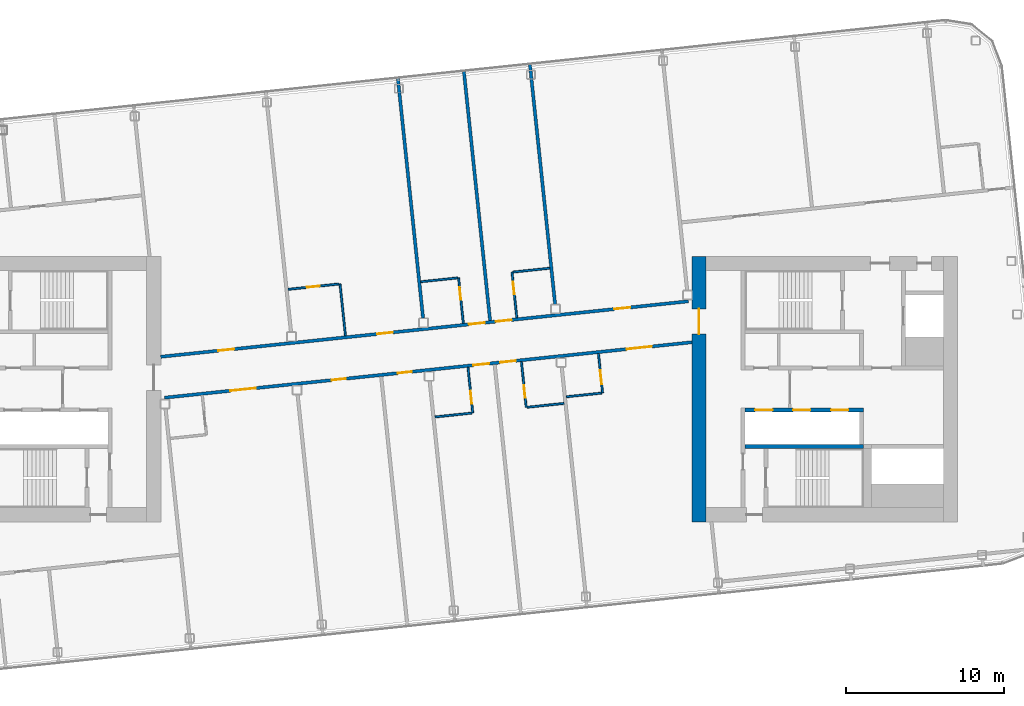
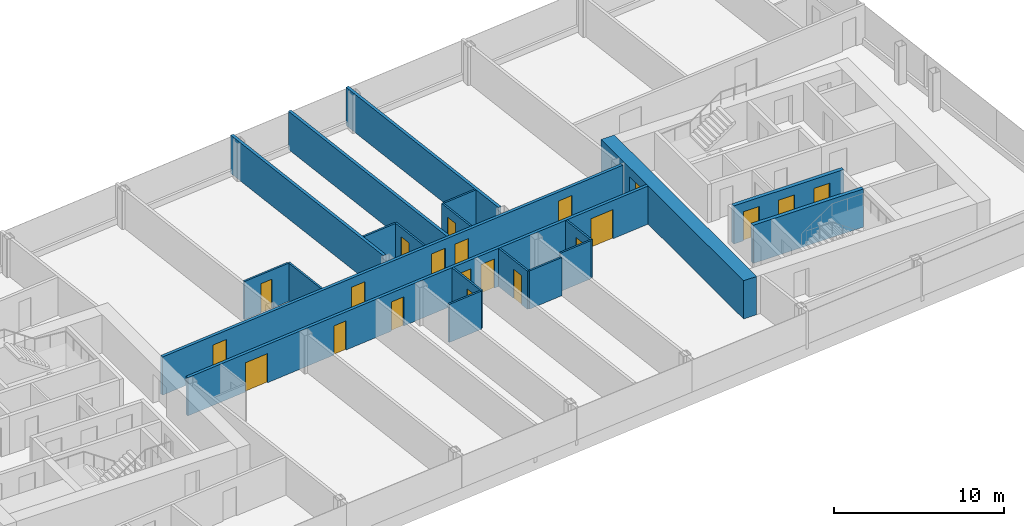
# One storey, part 16 of 27: 21 doors, 20 walls, 21 openings.
"""IFC4 building model written with IfcOpenShell, lengths in metres."""

from ifc_helpers import new_model, si_unit, direction, frame, frame_2d, origin, place, context, subcontext, project, spatial, rectangle, extrude, material, layer, layer_set, type_object, element, fill, save


model = new_model("IFC4")

# Units and contexts
model_context = context("Model", 3, precision=1e-05, world=origin(), true_north=direction((0.0, 1.0)))
body_context = subcontext(model_context, "Body", "Model", "MODEL_VIEW")
ifc_project = project(units=[si_unit("LENGTHUNIT", "METRE"), si_unit("AREAUNIT", "SQUARE_METRE"), si_unit("VOLUMEUNIT", "CUBIC_METRE"), si_unit("PLANEANGLEUNIT", "RADIAN"), si_unit("MASSUNIT", "GRAM", prefix="KILO")], contexts=[model_context])

# Site, building, storey
site_placement = place(None, origin())
site = spatial("IfcSite", under=ifc_project, at=site_placement, CompositionType="ELEMENT")
building_placement = place(site_placement, origin())
building = spatial("IfcBuilding", under=site, at=building_placement, Name="Hakoniwa Tower and Hamabe Station Hall", CompositionType="ELEMENT")
storey_placement = place(building_placement, frame((0.0, 0.0, 248.60009765625)))
storey = spatial("IfcBuildingStorey", under=building, at=storey_placement, Name="L70", CompositionType="ELEMENT", Elevation=248.60009765625)

# Walls
ifc_material_1 = material(Name="Gypsum board partition", Category="gypsum")
ifc_layer_1 = layer(ifc_material_1, 0.125)
ifc_layer_set_1 = layer_set([ifc_layer_1], Name="Bathroom Partition 125")
wall_type_1 = type_object("IfcWallType", Name="Bathroom Partition 125", PredefinedType="PARTITIONING", material=ifc_layer_set_1)
for number, where, z_axis, x_axis, name in (
    (1, (0.548828125, -1.76611328125, 0.0), (0.0, 0.0, 1.0), (0.994519751088, 0.104548862722, 0.0), "GW-L70-003"),
    (2, (6.37939453125, -1.153076171875, 0.0), (0.0, 0.0, 1.0), (0.994530605544, 0.104445558238, 0.0), "GW-L70-004"),
    (3, (-0.35009765625, 6.786865234375, 0.0), (0.0, 0.0, 1.0), (0.994519751088, 0.104548862722, 0.0), "GW-L70-009"),
    (4, (5.48046875, 7.399658203125, 0.0), (0.0, 0.0, 1.0), (0.994519751088, 0.104548862722, 0.0), "GW-L70-010"),
):
    element("IfcWall", number, at=place(storey_placement, frame(where, z_axis=z_axis, x_axis=x_axis)), inside=storey, type_object=wall_type_1, Name=name, PredefinedType="PARTITIONING", context=body_context, shape_type="SweptSolid", body=[
        extrude(rectangle(XDim=2.33740234375, YDim=0.125, at=frame_2d((1.168701171875, 0.0))), origin(), (0.0, 0.0, 1.0), 2.75),
    ])

# Wall, opening, door
wall_1_placement = place(storey_placement, frame((-8.745849609375, 6.306640625, 0.0), z_axis=(0.0, 0.0, 1.0), x_axis=(0.994522794159, 0.104519911488, 0.0)))
wall_1 = element("IfcWall", 5, at=wall_1_placement, inside=storey, type_object=wall_type_1, Name="GW-L70-011", PredefinedType="PARTITIONING", context=body_context, shape_type="SweptSolid", body=[
    extrude(rectangle(XDim=3.237548828125, YDim=0.125, at=frame_2d((1.61865234375, 0.0))), origin(), (0.0, 0.0, 1.0), 2.75),
])
opening_1_placement = place(wall_1_placement, frame((1.199951171875, 0.0, 0.0)))
opening_1 = element("IfcOpeningElement", 6, at=opening_1_placement, cuts=wall_1, Name="Opening GD-G5D0-16", PredefinedType="OPENING", context=body_context, shape_type="SweptSolid", body=[
    extrude(rectangle(XDim=0.800048828125, YDim=2.10009765625, at=frame_2d((0.39990234375, 1.050048828125))), frame((0.0, 0.072509765625, 0.0), z_axis=(0.0, -1.0, 0.0), x_axis=(1.0, 0.0, 0.0)), (0.0, 0.0, 1.0), 0.14501953125),
])
ifc_material_2 = material(Name="Timber door leaf", Category="wood")
door_type_1 = type_object("IfcDoorType", Name="Bathroom Door 800", OperationType="SINGLE_SWING_LEFT", PredefinedType="DOOR", material=ifc_material_2)
door_1_placement = place(opening_1_placement, origin())
door_1 = element("IfcDoor", 7, at=door_1_placement, inside=storey, type_object=door_type_1, Name="Door GD-G5D0-16", OperationType="SINGLE_SWING_RIGHT", OverallHeight=2.10009765625, OverallWidth=0.800048828125, PredefinedType="DOOR", context=body_context, shape_type="SweptSolid", body=[
    extrude(rectangle(XDim=0.800048828125, YDim=2.10009765625, at=frame_2d((0.39990234375, 1.050048828125))), frame((0.0, 0.02490234375, 0.0), z_axis=(0.0, -1.0, 0.0), x_axis=(1.0, 0.0, 0.0)), (0.0, 0.0, 1.0), 0.050048828125),
])
fill(opening_1, door_1)

# Wall
wall_2_placement = place(storey_placement, frame((-5.118896484375, 3.36962890625, 0.0), z_axis=(0.0, 0.0, 1.0), x_axis=(-0.104534592565, 0.994521251134, 0.0)))
element("IfcWall", 8, at=wall_2_placement, inside=storey, type_object=wall_type_1, Name="GW-L70-029", PredefinedType="PARTITIONING", context=body_context, shape_type="SweptSolid", body=[
    extrude(rectangle(XDim=3.300048828125, YDim=0.125, at=frame_2d((1.64990234375, 0.0))), origin(), (0.0, 0.0, 1.0), 2.75),
])

# Wall, opening, door
wall_3_placement = place(storey_placement, frame((2.935791015625, -1.51513671875, 0.0), z_axis=(0.0, 0.0, 1.0), x_axis=(-0.104562076147, 0.994518361938, 0.0)))
wall_3 = element("IfcWall", 9, at=wall_3_placement, inside=storey, type_object=wall_type_1, Name="GW-L70-033", PredefinedType="PARTITIONING", context=body_context, shape_type="SweptSolid", body=[
    extrude(rectangle(XDim=2.89990234375, YDim=0.125, at=frame_2d((1.449951171875, 0.0))), origin(), (0.0, 0.0, 1.0), 2.75),
])
opening_2_placement = place(wall_3_placement, frame((0.60009765625, 0.0, 0.0)))
opening_2 = element("IfcOpeningElement", 10, at=opening_2_placement, cuts=wall_3, Name="Opening GD-G5D0-27", PredefinedType="OPENING", context=body_context, shape_type="SweptSolid", body=[
    extrude(rectangle(XDim=0.800048828125, YDim=2.10009765625, at=frame_2d((0.39990234375, 1.050048828125))), frame((0.0, 0.072509765625, 0.0), z_axis=(0.0, -1.0, 0.0), x_axis=(1.0, 0.0, 0.0)), (0.0, 0.0, 1.0), 0.14501953125),
])
door_2_placement = place(opening_2_placement, origin())
door_2 = element("IfcDoor", 11, at=door_2_placement, inside=storey, type_object=door_type_1, Name="Door GD-G5D0-27", OperationType="SINGLE_SWING_RIGHT", OverallHeight=2.10009765625, OverallWidth=0.800048828125, PredefinedType="DOOR", context=body_context, shape_type="SweptSolid", body=[
    extrude(rectangle(XDim=0.800048828125, YDim=2.10009765625, at=frame_2d((0.39990234375, 1.050048828125))), frame((0.0, 0.02490234375, 0.0), z_axis=(0.0, -1.0, 0.0), x_axis=(1.0, 0.0, 0.0)), (0.0, 0.0, 1.0), 0.050048828125),
])
fill(opening_2, door_2)

wall_4_placement = place(storey_placement, frame((2.33984375, 4.153564453125, 0.0), z_axis=(0.0, 0.0, 1.0), x_axis=(-0.104470059912, 0.994528032074, 0.0)))
wall_4 = element("IfcWall", 12, at=wall_4_placement, inside=storey, type_object=wall_type_1, Name="GW-L70-034", PredefinedType="PARTITIONING", context=body_context, shape_type="SweptSolid", body=[
    extrude(rectangle(XDim=2.900146484375, YDim=0.125, at=frame_2d((1.4501953125, 0.0))), origin(), (0.0, 0.0, 1.0), 2.75),
])
opening_3_placement = place(wall_4_placement, frame((1.5, 0.0, 0.0)))
opening_3 = element("IfcOpeningElement", 13, at=opening_3_placement, cuts=wall_4, Name="Opening GD-G5D0-28", PredefinedType="OPENING", context=body_context, shape_type="SweptSolid", body=[
    extrude(rectangle(XDim=0.800048828125, YDim=2.10009765625, at=frame_2d((0.39990234375, 1.050048828125))), frame((0.0, 0.072509765625, 0.0), z_axis=(0.0, -1.0, 0.0), x_axis=(1.0, 0.0, 0.0)), (0.0, 0.0, 1.0), 0.14501953125),
])
door_3_placement = place(opening_3_placement, origin())
door_3 = element("IfcDoor", 14, at=door_3_placement, inside=storey, type_object=door_type_1, Name="Door GD-G5D0-28", OperationType="SINGLE_SWING_LEFT", OverallHeight=2.10009765625, OverallWidth=0.800048828125, PredefinedType="DOOR", context=body_context, shape_type="SweptSolid", body=[
    extrude(rectangle(XDim=0.800048828125, YDim=2.10009765625, at=frame_2d((0.39990234375, 1.050048828125))), frame((0.0, 0.02490234375, 0.0), z_axis=(0.0, -1.0, 0.0), x_axis=(1.0, 0.0, 0.0)), (0.0, 0.0, 1.0), 0.050048828125),
])
fill(opening_3, door_3)

wall_5_placement = place(storey_placement, frame((6.317138671875, -1.15966796875, 0.0), z_axis=(0.0, 0.0, 1.0), x_axis=(-0.104562076147, 0.994518361938, 0.0)))
wall_5 = element("IfcWall", 15, at=wall_5_placement, inside=storey, type_object=wall_type_1, Name="GW-L70-037", PredefinedType="PARTITIONING", context=body_context, shape_type="SweptSolid", body=[
    extrude(rectangle(XDim=2.89990234375, YDim=0.125, at=frame_2d((1.449951171875, 0.0))), origin(), (0.0, 0.0, 1.0), 2.75),
])
opening_4_placement = place(wall_5_placement, frame((0.60009765625, 0.0, 0.0)))
opening_4 = element("IfcOpeningElement", 16, at=opening_4_placement, cuts=wall_5, Name="Opening GD-G5D0-29", PredefinedType="OPENING", context=body_context, shape_type="SweptSolid", body=[
    extrude(rectangle(XDim=0.800048828125, YDim=2.10009765625, at=frame_2d((0.39990234375, 1.050048828125))), frame((0.0, 0.072509765625, 0.0), z_axis=(0.0, -1.0, 0.0), x_axis=(1.0, 0.0, 0.0)), (0.0, 0.0, 1.0), 0.14501953125),
])
door_4_placement = place(opening_4_placement, origin())
door_4 = element("IfcDoor", 17, at=door_4_placement, inside=storey, type_object=door_type_1, Name="Door GD-G5D0-29", OperationType="SINGLE_SWING_LEFT", OverallHeight=2.10009765625, OverallWidth=0.800048828125, PredefinedType="DOOR", context=body_context, shape_type="SweptSolid", body=[
    extrude(rectangle(XDim=0.800048828125, YDim=2.10009765625, at=frame_2d((0.39990234375, 1.050048828125))), frame((0.0, 0.02490234375, 0.0), z_axis=(0.0, -1.0, 0.0), x_axis=(1.0, 0.0, 0.0)), (0.0, 0.0, 1.0), 0.050048828125),
])
fill(opening_4, door_4)

wall_6_placement = place(storey_placement, frame((5.721435546875, 4.509033203125, 0.0), z_axis=(0.0, 0.0, 1.0), x_axis=(-0.104562076147, 0.994518361938, 0.0)))
wall_6 = element("IfcWall", 18, at=wall_6_placement, inside=storey, type_object=wall_type_1, Name="GW-L70-038", PredefinedType="PARTITIONING", context=body_context, shape_type="SweptSolid", body=[
    extrude(rectangle(XDim=2.89990234375, YDim=0.125, at=frame_2d((1.449951171875, 0.0))), origin(), (0.0, 0.0, 1.0), 2.75),
])
opening_5_placement = place(wall_6_placement, frame((1.5, 0.0, 0.0)))
opening_5 = element("IfcOpeningElement", 19, at=opening_5_placement, cuts=wall_6, Name="Opening GD-G5D0-30", PredefinedType="OPENING", context=body_context, shape_type="SweptSolid", body=[
    extrude(rectangle(XDim=0.800048828125, YDim=2.10009765625, at=frame_2d((0.39990234375, 1.050048828125))), frame((0.0, 0.072509765625, 0.0), z_axis=(0.0, -1.0, 0.0), x_axis=(1.0, 0.0, 0.0)), (0.0, 0.0, 1.0), 0.14501953125),
])
door_5_placement = place(opening_5_placement, origin())
door_5 = element("IfcDoor", 20, at=door_5_placement, inside=storey, type_object=door_type_1, Name="Door GD-G5D0-30", OperationType="SINGLE_SWING_RIGHT", OverallHeight=2.10009765625, OverallWidth=0.800048828125, PredefinedType="DOOR", context=body_context, shape_type="SweptSolid", body=[
    extrude(rectangle(XDim=0.800048828125, YDim=2.10009765625, at=frame_2d((0.39990234375, 1.050048828125))), frame((0.0, 0.02490234375, 0.0), z_axis=(0.0, -1.0, 0.0), x_axis=(1.0, 0.0, 0.0)), (0.0, 0.0, 1.0), 0.050048828125),
])
fill(opening_5, door_5)

ifc_material_3 = material(Name="Concrete C60", Category="concrete")
ifc_layer_2 = layer(ifc_material_3, 0.89990234375)
ifc_layer_set_2 = layer_set([ifc_layer_2], Name="CORE WALL 900 C60")
wall_type_2 = type_object("IfcWallType", Name="CORE WALL 900 C60", PredefinedType="SHEAR", material=ifc_layer_set_2)
wall_7_placement = place(storey_placement, frame((17.25, -8.39990234375, 0.0), z_axis=(0.0, 0.0, 1.0), x_axis=(0.0, 1.0, 0.0)))
wall_7 = element("IfcWall", 21, at=wall_7_placement, inside=storey, type_object=wall_type_2, Name="Core wall INNER east", PredefinedType="SHEAR", context=body_context, shape_type="SweptSolid", body=[
    extrude(rectangle(XDim=16.7998046875, YDim=0.89990234375, at=frame_2d((8.39990234375, 0.0))), origin(), (0.0, 0.0, 1.0), 2.75),
])
opening_6_placement = place(wall_7_placement, frame((11.87890625, 0.0, 0.0)))
opening_6 = element("IfcOpeningElement", 22, at=opening_6_placement, cuts=wall_7, Name="Opening CD-E-IN1-16", PredefinedType="OPENING", context=body_context, shape_type="SweptSolid", body=[
    extrude(rectangle(XDim=1.60009765625, YDim=2.10009765625, at=frame_2d((0.800048828125, 1.050048828125))), frame((0.0, 0.4599609375, 0.0), z_axis=(0.0, -1.0, 0.0), x_axis=(1.0, 0.0, 0.0)), (0.0, 0.0, 1.0), 0.919921875),
])
ifc_material_4 = material(Name="Steel fire door", Category="steel")
door_type_2 = type_object("IfcDoorType", Name="CORE DOOR 1600 FD60", OperationType="DOUBLE_DOOR_SINGLE_SWING", PredefinedType="DOOR", material=ifc_material_4)
door_6_placement = place(opening_6_placement, origin())
door_6 = element("IfcDoor", 23, at=door_6_placement, inside=storey, type_object=door_type_2, Name="Lift lobby door", OperationType="DOUBLE_DOOR_SINGLE_SWING", OverallHeight=2.10009765625, OverallWidth=1.60009765625, PredefinedType="DOOR", context=body_context, shape_type="SweptSolid", body=[
    extrude(rectangle(XDim=1.60009765625, YDim=2.10009765625, at=frame_2d((0.800048828125, 1.050048828125))), frame((0.0, 0.02490234375, 0.0), z_axis=(0.0, -1.0, 0.0), x_axis=(1.0, 0.0, 0.0)), (0.0, 0.0, 1.0), 0.050048828125),
])
fill(opening_6, door_6)

# Wall, openings, doors
ifc_material_5 = material(Name="Concrete C60", Category="concrete")
ifc_layer_3 = layer(ifc_material_5, 0.25)
ifc_layer_set_3 = layer_set([ifc_layer_3], Name="CORE WEB WALL 250 C60")
wall_type_3 = type_object("IfcWallType", Name="CORE WEB WALL 250 C60", PredefinedType="SHEAR", material=ifc_layer_set_3)
wall_8_placement = place(storey_placement, frame((20.14990234375, -1.324951171875, 0.0), z_axis=(0.0, 0.0, 1.0), x_axis=(1.0, 0.0, 0.0)))
wall_8 = element("IfcWall", 24, at=wall_8_placement, inside=storey, type_object=wall_type_3, Name="Core wall SF east", PredefinedType="SHEAR", context=body_context, shape_type="SweptSolid", body=[
    extrude(rectangle(XDim=7.5, YDim=0.25, at=frame_2d((3.75, 0.0))), origin(), (0.0, 0.0, 1.0), 2.75),
])
opening_7_placement = place(wall_8_placement, frame((0.64990234375, 0.0, 0.0)))
opening_7 = element("IfcOpeningElement", 25, at=opening_7_placement, cuts=wall_8, Name="Opening LD-HR4", PredefinedType="OPENING", context=body_context, shape_type="SweptSolid", body=[
    extrude(rectangle(XDim=1.10009765625, YDim=2.10009765625, at=frame_2d((0.550048828125, 1.050048828125))), frame((0.0, 0.135009765625, 0.0), z_axis=(0.0, -1.0, 0.0), x_axis=(1.0, 0.0, 0.0)), (0.0, 0.0, 1.0), 0.27001953125),
])
opening_8_placement = place(wall_8_placement, frame((3.050048828125, 0.0, 0.0)))
opening_8 = element("IfcOpeningElement", 26, at=opening_8_placement, cuts=wall_8, Name="Opening LD-HR5", PredefinedType="OPENING", context=body_context, shape_type="SweptSolid", body=[
    extrude(rectangle(XDim=1.10009765625, YDim=2.10009765625, at=frame_2d((0.550048828125, 1.050048828125))), frame((0.0, 0.135009765625, 0.0), z_axis=(0.0, -1.0, 0.0), x_axis=(1.0, 0.0, 0.0)), (0.0, 0.0, 1.0), 0.27001953125),
])
opening_9_placement = place(wall_8_placement, frame((5.449951171875, 0.0, 0.0)))
opening_9 = element("IfcOpeningElement", 27, at=opening_9_placement, cuts=wall_8, Name="Opening LD-HR6", PredefinedType="OPENING", context=body_context, shape_type="SweptSolid", body=[
    extrude(rectangle(XDim=1.10009765625, YDim=2.10009765625, at=frame_2d((0.550048828125, 1.050048828125))), frame((0.0, 0.135009765625, 0.0), z_axis=(0.0, -1.0, 0.0), x_axis=(1.0, 0.0, 0.0)), (0.0, 0.0, 1.0), 0.27001953125),
])
ifc_material_6 = material(Name="Stainless steel SUS304", Category="steel")
door_type_3 = type_object("IfcDoorType", Name="LIFT LANDING DOOR 1100 FD60", OperationType="DOUBLE_DOOR_SLIDING", PredefinedType="DOOR", material=ifc_material_6)
door_7_placement = place(opening_7_placement, origin())
door_7 = element("IfcDoor", 28, at=door_7_placement, inside=storey, type_object=door_type_3, Name="Lift landing door HR4 L70", OperationType="DOUBLE_DOOR_SLIDING", OverallHeight=2.10009765625, OverallWidth=1.10009765625, PredefinedType="DOOR", context=body_context, shape_type="SweptSolid", body=[
    extrude(rectangle(XDim=1.10009765625, YDim=2.10009765625, at=frame_2d((0.550048828125, 1.050048828125))), frame((0.0, 0.02490234375, 0.0), z_axis=(0.0, -1.0, 0.0), x_axis=(1.0, 0.0, 0.0)), (0.0, 0.0, 1.0), 0.050048828125),
])
fill(opening_7, door_7)
door_8_placement = place(opening_8_placement, origin())
door_8 = element("IfcDoor", 29, at=door_8_placement, inside=storey, type_object=door_type_3, Name="Lift landing door HR5 L70", OperationType="DOUBLE_DOOR_SLIDING", OverallHeight=2.10009765625, OverallWidth=1.10009765625, PredefinedType="DOOR", context=body_context, shape_type="SweptSolid", body=[
    extrude(rectangle(XDim=1.10009765625, YDim=2.10009765625, at=frame_2d((0.550048828125, 1.050048828125))), frame((0.0, 0.02490234375, 0.0), z_axis=(0.0, -1.0, 0.0), x_axis=(1.0, 0.0, 0.0)), (0.0, 0.0, 1.0), 0.050048828125),
])
fill(opening_8, door_8)
door_9_placement = place(opening_9_placement, origin())
door_9 = element("IfcDoor", 30, at=door_9_placement, inside=storey, type_object=door_type_3, Name="Lift landing door HR6 L70", OperationType="DOUBLE_DOOR_SLIDING", OverallHeight=2.10009765625, OverallWidth=1.10009765625, PredefinedType="DOOR", context=body_context, shape_type="SweptSolid", body=[
    extrude(rectangle(XDim=1.10009765625, YDim=2.10009765625, at=frame_2d((0.550048828125, 1.050048828125))), frame((0.0, 0.02490234375, 0.0), z_axis=(0.0, -1.0, 0.0), x_axis=(1.0, 0.0, 0.0)), (0.0, 0.0, 1.0), 0.050048828125),
])
fill(opening_9, door_9)

# Wall
wall_9_placement = place(storey_placement, frame((20.14990234375, -3.625, 0.0), z_axis=(0.0, 0.0, 1.0), x_axis=(1.0, 0.0, 0.0)))
element("IfcWall", 31, at=wall_9_placement, inside=storey, type_object=wall_type_3, Name="Core wall SR east", PredefinedType="SHEAR", context=body_context, shape_type="SweptSolid", body=[
    extrude(rectangle(XDim=7.5, YDim=0.25, at=frame_2d((3.75, 0.0))), origin(), (0.0, 0.0, 1.0), 2.75),
])

# Wall, openings, doors
ifc_material_7 = material(Name="Fire-rated gypsum board partition", Category="gypsum")
ifc_layer_4 = layer(ifc_material_7, 0.199951171875)
ifc_layer_set_4 = layer_set([ifc_layer_4], Name="Corridor Wall 200")
wall_type_4 = type_object("IfcWallType", Name="Corridor Wall 200", PredefinedType="PARTITIONING", material=ifc_layer_set_4)
wall_10_placement = place(storey_placement, frame((-16.572021484375, -0.549072265625, 0.0), z_axis=(0.0, 0.0, 1.0), x_axis=(0.994521146831, 0.104535584879, 0.0)))
wall_10 = element("IfcWall", 32, at=wall_10_placement, inside=storey, type_object=wall_type_4, Name="GW-L70-007", PredefinedType="PARTITIONING", context=body_context, shape_type="SweptSolid", body=[
    extrude(rectangle(XDim=33.560791015625, YDim=0.199951171875, at=frame_2d((16.7802734375, 0.0))), origin(), (0.0, 0.0, 1.0), 2.75),
])
opening_10_placement = place(wall_10_placement, frame((4.199951171875, 0.0, 0.0)))
opening_10 = element("IfcOpeningElement", 33, at=opening_10_placement, cuts=wall_10, Name="Opening GD-G5D0-05", PredefinedType="OPENING", context=body_context, shape_type="SweptSolid", body=[
    extrude(rectangle(XDim=1.60009765625, YDim=2.10009765625, at=frame_2d((0.800048828125, 1.050048828125))), frame((0.0, 0.10986328125, 0.0), z_axis=(0.0, -1.0, 0.0), x_axis=(1.0, 0.0, 0.0)), (0.0, 0.0, 1.0), 0.219970703125),
])
opening_11_placement = place(wall_10_placement, frame((10.639892578125, 0.0, 0.0)))
opening_11 = element("IfcOpeningElement", 34, at=opening_11_placement, cuts=wall_10, Name="Opening GD-G5D0-06", PredefinedType="OPENING", context=body_context, shape_type="SweptSolid", body=[
    extrude(rectangle(XDim=0.89990234375, YDim=2.10009765625, at=frame_2d((0.449951171875, 1.050048828125))), frame((0.0, 0.10986328125, 0.0), z_axis=(0.0, -1.0, 0.0), x_axis=(1.0, 0.0, 0.0)), (0.0, 0.0, 1.0), 0.219970703125),
])
opening_12_placement = place(wall_10_placement, frame((14.840087890625, 0.0, 0.0)))
opening_12 = element("IfcOpeningElement", 35, at=opening_12_placement, cuts=wall_10, Name="Opening GD-G5D0-07", PredefinedType="OPENING", context=body_context, shape_type="SweptSolid", body=[
    extrude(rectangle(XDim=0.89990234375, YDim=2.10009765625, at=frame_2d((0.449951171875, 1.050048828125))), frame((0.0, 0.10986328125, 0.0), z_axis=(0.0, -1.0, 0.0), x_axis=(1.0, 0.0, 0.0)), (0.0, 0.0, 1.0), 0.219970703125),
])
opening_13_placement = place(wall_10_placement, frame((19.64990234375, 0.0, 0.0)))
opening_13 = element("IfcOpeningElement", 36, at=opening_13_placement, cuts=wall_10, Name="Opening GD-G5D0-08", PredefinedType="OPENING", context=body_context, shape_type="SweptSolid", body=[
    extrude(rectangle(XDim=1.0, YDim=2.10009765625, at=frame_2d((0.5, 1.050048828125))), frame((0.0, 0.10986328125, 0.0), z_axis=(0.0, -1.0, 0.0), x_axis=(1.0, 0.0, 0.0)), (0.0, 0.0, 1.0), 0.219970703125),
])
opening_14_placement = place(wall_10_placement, frame((21.35009765625, 0.0, 0.0)))
opening_14 = element("IfcOpeningElement", 37, at=opening_14_placement, cuts=wall_10, Name="Opening GD-G5D0-09", PredefinedType="OPENING", context=body_context, shape_type="SweptSolid", body=[
    extrude(rectangle(XDim=1.0, YDim=2.10009765625, at=frame_2d((0.5, 1.050048828125))), frame((0.0, 0.10986328125, 0.0), z_axis=(0.0, -1.0, 0.0), x_axis=(1.0, 0.0, 0.0)), (0.0, 0.0, 1.0), 0.219970703125),
])
opening_15_placement = place(wall_10_placement, frame((29.39990234375, 0.0, 0.0)))
opening_15 = element("IfcOpeningElement", 38, at=opening_15_placement, cuts=wall_10, Name="Opening GD-G5D0-10", PredefinedType="OPENING", context=body_context, shape_type="SweptSolid", body=[
    extrude(rectangle(XDim=1.60009765625, YDim=2.10009765625, at=frame_2d((0.800048828125, 1.050048828125))), frame((0.0, 0.10986328125, 0.0), z_axis=(0.0, -1.0, 0.0), x_axis=(1.0, 0.0, 0.0)), (0.0, 0.0, 1.0), 0.219970703125),
])
ifc_material_8 = material(Name="Timber door leaf", Category="wood")
door_type_4 = type_object("IfcDoorType", Name="Double Door 1600", OperationType="DOUBLE_DOOR_SINGLE_SWING", PredefinedType="DOOR", material=ifc_material_8)
door_10_placement = place(opening_10_placement, origin())
door_10 = element("IfcDoor", 39, at=door_10_placement, inside=storey, type_object=door_type_4, Name="Door GD-G5D0-05", OperationType="DOUBLE_DOOR_SINGLE_SWING", OverallHeight=2.10009765625, OverallWidth=1.60009765625, PredefinedType="DOOR", context=body_context, shape_type="SweptSolid", body=[
    extrude(rectangle(XDim=1.60009765625, YDim=2.10009765625, at=frame_2d((0.800048828125, 1.050048828125))), frame((0.0, 0.02490234375, 0.0), z_axis=(0.0, -1.0, 0.0), x_axis=(1.0, 0.0, 0.0)), (0.0, 0.0, 1.0), 0.050048828125),
])
fill(opening_10, door_10)
door_11_placement = place(opening_15_placement, origin())
door_11 = element("IfcDoor", 40, at=door_11_placement, inside=storey, type_object=door_type_4, Name="Door GD-G5D0-10", OperationType="DOUBLE_DOOR_SINGLE_SWING", OverallHeight=2.10009765625, OverallWidth=1.60009765625, PredefinedType="DOOR", context=body_context, shape_type="SweptSolid", body=[
    extrude(rectangle(XDim=1.60009765625, YDim=2.10009765625, at=frame_2d((0.800048828125, 1.050048828125))), frame((0.0, 0.02490234375, 0.0), z_axis=(0.0, -1.0, 0.0), x_axis=(1.0, 0.0, 0.0)), (0.0, 0.0, 1.0), 0.050048828125),
])
fill(opening_15, door_11)
ifc_material_9 = material(Name="Timber door leaf", Category="wood")
door_type_5 = type_object("IfcDoorType", Name="Guest Entrance Door 1000", OperationType="SINGLE_SWING_LEFT", PredefinedType="DOOR", material=ifc_material_9)
door_12_placement = place(opening_13_placement, origin())
door_12 = element("IfcDoor", 41, at=door_12_placement, inside=storey, type_object=door_type_5, Name="Door GD-G5D0-08", OperationType="SINGLE_SWING_LEFT", OverallHeight=2.10009765625, OverallWidth=1.0, PredefinedType="DOOR", context=body_context, shape_type="SweptSolid", body=[
    extrude(rectangle(XDim=1.0, YDim=2.10009765625, at=frame_2d((0.5, 1.050048828125))), frame((0.0, 0.02490234375, 0.0), z_axis=(0.0, -1.0, 0.0), x_axis=(1.0, 0.0, 0.0)), (0.0, 0.0, 1.0), 0.050048828125),
])
fill(opening_13, door_12)
door_13_placement = place(opening_14_placement, origin())
door_13 = element("IfcDoor", 42, at=door_13_placement, inside=storey, type_object=door_type_5, Name="Door GD-G5D0-09", OperationType="SINGLE_SWING_RIGHT", OverallHeight=2.10009765625, OverallWidth=1.0, PredefinedType="DOOR", context=body_context, shape_type="SweptSolid", body=[
    extrude(rectangle(XDim=1.0, YDim=2.10009765625, at=frame_2d((0.5, 1.050048828125))), frame((0.0, 0.02490234375, 0.0), z_axis=(0.0, -1.0, 0.0), x_axis=(1.0, 0.0, 0.0)), (0.0, 0.0, 1.0), 0.050048828125),
])
fill(opening_14, door_13)
ifc_material_10 = material(Name="Timber door leaf", Category="wood")
door_type_6 = type_object("IfcDoorType", Name="Service Door 900", OperationType="SINGLE_SWING_LEFT", PredefinedType="DOOR", material=ifc_material_10)
door_14_placement = place(opening_11_placement, origin())
door_14 = element("IfcDoor", 43, at=door_14_placement, inside=storey, type_object=door_type_6, Name="Door GD-G5D0-06", OperationType="SINGLE_SWING_LEFT", OverallHeight=2.10009765625, OverallWidth=0.89990234375, PredefinedType="DOOR", context=body_context, shape_type="SweptSolid", body=[
    extrude(rectangle(XDim=0.89990234375, YDim=2.10009765625, at=frame_2d((0.449951171875, 1.050048828125))), frame((0.0, 0.02490234375, 0.0), z_axis=(0.0, -1.0, 0.0), x_axis=(1.0, 0.0, 0.0)), (0.0, 0.0, 1.0), 0.050048828125),
])
fill(opening_11, door_14)
door_15_placement = place(opening_12_placement, origin())
door_15 = element("IfcDoor", 44, at=door_15_placement, inside=storey, type_object=door_type_6, Name="Door GD-G5D0-07", OperationType="SINGLE_SWING_LEFT", OverallHeight=2.10009765625, OverallWidth=0.89990234375, PredefinedType="DOOR", context=body_context, shape_type="SweptSolid", body=[
    extrude(rectangle(XDim=0.89990234375, YDim=2.10009765625, at=frame_2d((0.449951171875, 1.050048828125))), frame((0.0, 0.02490234375, 0.0), z_axis=(0.0, -1.0, 0.0), x_axis=(1.0, 0.0, 0.0)), (0.0, 0.0, 1.0), 0.050048828125),
])
fill(opening_12, door_15)

wall_11_placement = place(storey_placement, frame((-16.804931640625, 2.040771484375, 0.0), z_axis=(0.0, 0.0, 1.0), x_axis=(0.994521146831, 0.104535584879, 0.0)))
wall_11 = element("IfcWall", 45, at=wall_11_placement, inside=storey, type_object=wall_type_4, Name="GW-L70-008", PredefinedType="PARTITIONING", context=body_context, shape_type="SweptSolid", body=[
    extrude(rectangle(XDim=33.560791015625, YDim=0.199951171875, at=frame_2d((16.7802734375, 0.0))), origin(), (0.0, 0.0, 1.0), 2.75),
])
opening_16_placement = place(wall_11_placement, frame((3.660888671875, 0.0, 0.0)))
opening_16 = element("IfcOpeningElement", 46, at=opening_16_placement, cuts=wall_11, Name="Opening GD-G5D0-11", PredefinedType="OPENING", context=body_context, shape_type="SweptSolid", body=[
    extrude(rectangle(XDim=1.0, YDim=2.10009765625, at=frame_2d((0.5, 1.050048828125))), frame((0.0, 0.10986328125, 0.0), z_axis=(0.0, -1.0, 0.0), x_axis=(1.0, 0.0, 0.0)), (0.0, 0.0, 1.0), 0.219970703125),
])
opening_17_placement = place(wall_11_placement, frame((13.760986328125, 0.0, 0.0)))
opening_17 = element("IfcOpeningElement", 47, at=opening_17_placement, cuts=wall_11, Name="Opening GD-G5D0-12", PredefinedType="OPENING", context=body_context, shape_type="SweptSolid", body=[
    extrude(rectangle(XDim=1.0, YDim=2.10009765625, at=frame_2d((0.5, 1.050048828125))), frame((0.0, 0.10986328125, 0.0), z_axis=(0.0, -1.0, 0.0), x_axis=(1.0, 0.0, 0.0)), (0.0, 0.0, 1.0), 0.219970703125),
])
opening_18_placement = place(wall_11_placement, frame((19.61083984375, 0.0, 0.0)))
opening_18 = element("IfcOpeningElement", 48, at=opening_18_placement, cuts=wall_11, Name="Opening GD-G5D0-13", PredefinedType="OPENING", context=body_context, shape_type="SweptSolid", body=[
    extrude(rectangle(XDim=1.0, YDim=2.10009765625, at=frame_2d((0.5, 1.050048828125))), frame((0.0, 0.10986328125, 0.0), z_axis=(0.0, -1.0, 0.0), x_axis=(1.0, 0.0, 0.0)), (0.0, 0.0, 1.0), 0.219970703125),
])
opening_19_placement = place(wall_11_placement, frame((21.310791015625, 0.0, 0.0)))
opening_19 = element("IfcOpeningElement", 49, at=opening_19_placement, cuts=wall_11, Name="Opening GD-G5D0-14", PredefinedType="OPENING", context=body_context, shape_type="SweptSolid", body=[
    extrude(rectangle(XDim=1.0, YDim=2.10009765625, at=frame_2d((0.5, 1.050048828125))), frame((0.0, 0.10986328125, 0.0), z_axis=(0.0, -1.0, 0.0), x_axis=(1.0, 0.0, 0.0)), (0.0, 0.0, 1.0), 0.219970703125),
])
opening_20_placement = place(wall_11_placement, frame((28.86083984375, 0.0, 0.0)))
opening_20 = element("IfcOpeningElement", 50, at=opening_20_placement, cuts=wall_11, Name="Opening GD-G5D0-15", PredefinedType="OPENING", context=body_context, shape_type="SweptSolid", body=[
    extrude(rectangle(XDim=1.0, YDim=2.10009765625, at=frame_2d((0.5, 1.050048828125))), frame((0.0, 0.10986328125, 0.0), z_axis=(0.0, -1.0, 0.0), x_axis=(1.0, 0.0, 0.0)), (0.0, 0.0, 1.0), 0.219970703125),
])
door_16_placement = place(opening_16_placement, origin())
door_16 = element("IfcDoor", 51, at=door_16_placement, inside=storey, type_object=door_type_5, Name="Door GD-G5D0-11", OperationType="SINGLE_SWING_RIGHT", OverallHeight=2.10009765625, OverallWidth=1.0, PredefinedType="DOOR", context=body_context, shape_type="SweptSolid", body=[
    extrude(rectangle(XDim=1.0, YDim=2.10009765625, at=frame_2d((0.5, 1.050048828125))), frame((0.0, 0.02490234375, 0.0), z_axis=(0.0, -1.0, 0.0), x_axis=(1.0, 0.0, 0.0)), (0.0, 0.0, 1.0), 0.050048828125),
])
fill(opening_16, door_16)
door_17_placement = place(opening_17_placement, origin())
door_17 = element("IfcDoor", 52, at=door_17_placement, inside=storey, type_object=door_type_5, Name="Door GD-G5D0-12", OperationType="SINGLE_SWING_LEFT", OverallHeight=2.10009765625, OverallWidth=1.0, PredefinedType="DOOR", context=body_context, shape_type="SweptSolid", body=[
    extrude(rectangle(XDim=1.0, YDim=2.10009765625, at=frame_2d((0.5, 1.050048828125))), frame((0.0, 0.02490234375, 0.0), z_axis=(0.0, -1.0, 0.0), x_axis=(1.0, 0.0, 0.0)), (0.0, 0.0, 1.0), 0.050048828125),
])
fill(opening_17, door_17)
door_18_placement = place(opening_18_placement, origin())
door_18 = element("IfcDoor", 53, at=door_18_placement, inside=storey, type_object=door_type_5, Name="Door GD-G5D0-13", OperationType="SINGLE_SWING_RIGHT", OverallHeight=2.10009765625, OverallWidth=1.0, PredefinedType="DOOR", context=body_context, shape_type="SweptSolid", body=[
    extrude(rectangle(XDim=1.0, YDim=2.10009765625, at=frame_2d((0.5, 1.050048828125))), frame((0.0, 0.02490234375, 0.0), z_axis=(0.0, -1.0, 0.0), x_axis=(1.0, 0.0, 0.0)), (0.0, 0.0, 1.0), 0.050048828125),
])
fill(opening_18, door_18)
door_19_placement = place(opening_19_placement, origin())
door_19 = element("IfcDoor", 54, at=door_19_placement, inside=storey, type_object=door_type_5, Name="Door GD-G5D0-14", OperationType="SINGLE_SWING_LEFT", OverallHeight=2.10009765625, OverallWidth=1.0, PredefinedType="DOOR", context=body_context, shape_type="SweptSolid", body=[
    extrude(rectangle(XDim=1.0, YDim=2.10009765625, at=frame_2d((0.5, 1.050048828125))), frame((0.0, 0.02490234375, 0.0), z_axis=(0.0, -1.0, 0.0), x_axis=(1.0, 0.0, 0.0)), (0.0, 0.0, 1.0), 0.050048828125),
])
fill(opening_19, door_19)
door_20_placement = place(opening_20_placement, origin())
door_20 = element("IfcDoor", 55, at=door_20_placement, inside=storey, type_object=door_type_5, Name="Door GD-G5D0-15", OperationType="SINGLE_SWING_RIGHT", OverallHeight=2.10009765625, OverallWidth=1.0, PredefinedType="DOOR", context=body_context, shape_type="SweptSolid", body=[
    extrude(rectangle(XDim=1.0, YDim=2.10009765625, at=frame_2d((0.5, 1.050048828125))), frame((0.0, 0.02490234375, 0.0), z_axis=(0.0, -1.0, 0.0), x_axis=(1.0, 0.0, 0.0)), (0.0, 0.0, 1.0), 0.050048828125),
])
fill(opening_20, door_20)

# Walls
ifc_material_11 = material(Name="Fire-rated gypsum board partition", Category="gypsum")
ifc_layer_5 = layer(ifc_material_11, 0.199951171875)
ifc_layer_set_5 = layer_set([ifc_layer_5], Name="Party Wall 200")
wall_type_5 = type_object("IfcWallType", Name="Party Wall 200", PredefinedType="PARTITIONING", material=ifc_layer_set_5)
wall_12_placement = place(storey_placement, frame((-0.208251953125, 4.480712890625, 0.0), z_axis=(0.0, 0.0, 1.0), x_axis=(-0.104523729364, 0.99452239291, 0.0)))
element("IfcWall", 56, at=wall_12_placement, inside=storey, type_object=wall_type_5, Name="GW-L70-032", PredefinedType="PARTITIONING", context=body_context, shape_type="SweptSolid", body=[
    extrude(rectangle(XDim=15.308349609375, YDim=0.199951171875, at=frame_2d((7.654296875, 0.0))), origin(), (0.0, 0.0, 1.0), 2.75),
])
wall_13_placement = place(storey_placement, frame((4.03076171875, 4.331298828125, 0.0), z_axis=(0.0, 0.0, 1.0), x_axis=(-0.104534518003, 0.994521258971, 0.0)))
element("IfcWall", 57, at=wall_13_placement, inside=storey, type_object=wall_type_5, Name="GW-L70-036", PredefinedType="PARTITIONING", context=body_context, shape_type="SweptSolid", body=[
    extrude(rectangle(XDim=15.900146484375, YDim=0.199951171875, at=frame_2d((7.9501953125, 0.0))), origin(), (0.0, 0.0, 1.0), 2.75),
])
wall_14_placement = place(storey_placement, frame((8.145751953125, 5.358642578125, 0.0), z_axis=(0.0, 0.0, 1.0), x_axis=(-0.104523729364, 0.99452239291, 0.0)))
element("IfcWall", 58, at=wall_14_placement, inside=storey, type_object=wall_type_5, Name="GW-L70-040", PredefinedType="PARTITIONING", context=body_context, shape_type="SweptSolid", body=[
    extrude(rectangle(XDim=15.308349609375, YDim=0.199951171875, at=frame_2d((7.654296875, 0.0))), origin(), (0.0, 0.0, 1.0), 2.75),
])
ifc_material_12 = material(Name="Gypsum board partition", Category="gypsum")
ifc_layer_6 = layer(ifc_material_12, 0.125)
ifc_layer_set_6 = layer_set([ifc_layer_6], Name="Room Partition 125")
wall_type_6 = type_object("IfcWallType", Name="Room Partition 125", PredefinedType="PARTITIONING", material=ifc_layer_set_6)
wall_15_placement = place(storey_placement, frame((8.861083984375, -0.490234375, 0.0), z_axis=(0.0, 0.0, 1.0), x_axis=(0.99452218011, 0.104525754092, 0.0)))
element("IfcWall", 59, at=wall_15_placement, inside=storey, type_object=wall_type_6, Name="GW-L70-006", PredefinedType="PARTITIONING", context=body_context, shape_type="SweptSolid", body=[
    extrude(rectangle(XDim=2.237548828125, YDim=0.125, at=frame_2d((1.11865234375, 0.0))), origin(), (0.0, 0.0, 1.0), 2.75),
])

# Wall, opening, door
wall_16_placement = place(storey_placement, frame((11.1484375, -0.249755859375, 0.0), z_axis=(0.0, 0.0, 1.0), x_axis=(-0.104491611519, 0.994525767953, 0.0)))
wall_16 = element("IfcWall", 60, at=wall_16_placement, inside=storey, type_object=wall_type_6, Name="GW-L70-041", PredefinedType="PARTITIONING", context=body_context, shape_type="SweptSolid", body=[
    extrude(rectangle(XDim=2.5, YDim=0.125, at=frame_2d((1.25, 0.0))), origin(), (0.0, 0.0, 1.0), 2.75),
])
opening_21_placement = place(wall_16_placement, frame((0.550048828125, 0.0, 0.0)))
opening_21 = element("IfcOpeningElement", 61, at=opening_21_placement, cuts=wall_16, Name="Opening GD-G5D0-31", PredefinedType="OPENING", context=body_context, shape_type="SweptSolid", body=[
    extrude(rectangle(XDim=0.89990234375, YDim=2.10009765625, at=frame_2d((0.449951171875, 1.050048828125))), frame((0.0, 0.072509765625, 0.0), z_axis=(0.0, -1.0, 0.0), x_axis=(1.0, 0.0, 0.0)), (0.0, 0.0, 1.0), 0.14501953125),
])
ifc_material_13 = material(Name="Timber door leaf", Category="wood")
door_type_7 = type_object("IfcDoorType", Name="Suite Interior Door 900", OperationType="SINGLE_SWING_LEFT", PredefinedType="DOOR", material=ifc_material_13)
door_21_placement = place(opening_21_placement, origin())
door_21 = element("IfcDoor", 62, at=door_21_placement, inside=storey, type_object=door_type_7, Name="Door GD-G5D0-31", OperationType="SINGLE_SWING_RIGHT", OverallHeight=2.10009765625, OverallWidth=0.89990234375, PredefinedType="DOOR", context=body_context, shape_type="SweptSolid", body=[
    extrude(rectangle(XDim=0.89990234375, YDim=2.10009765625, at=frame_2d((0.449951171875, 1.050048828125))), frame((0.0, 0.02490234375, 0.0), z_axis=(0.0, -1.0, 0.0), x_axis=(1.0, 0.0, 0.0)), (0.0, 0.0, 1.0), 0.050048828125),
])
fill(opening_21, door_21)

save(model, "model.ifc")
